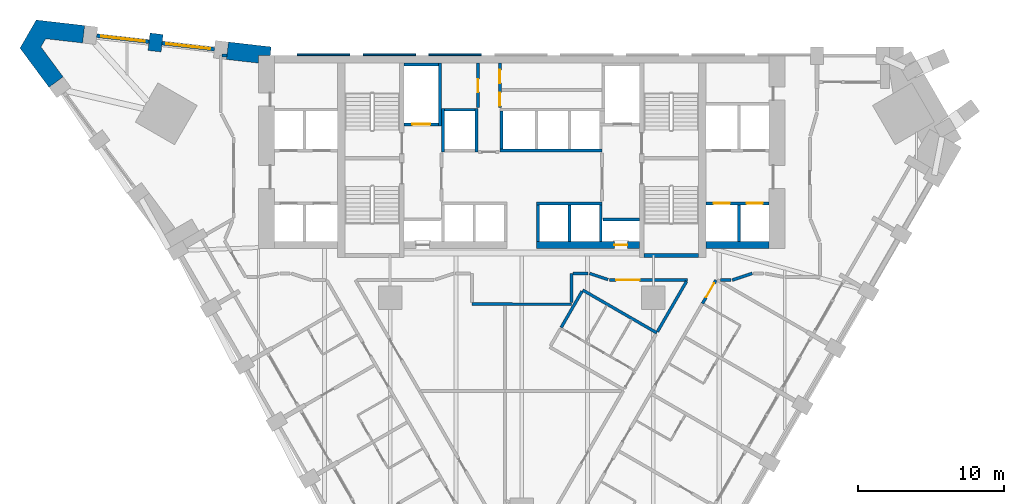
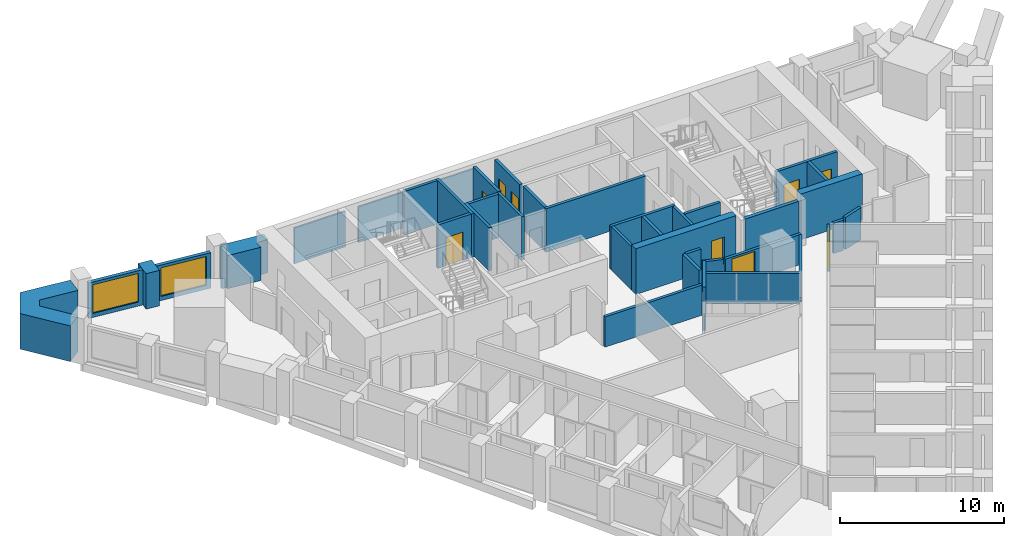
# One storey, part 8 of 12: 40 walls, 9 doors, 2 windows, 11 openings.
"""IFC4 building model written with IfcOpenShell, lengths in metres."""

from ifc_helpers import new_model, si_unit, direction, frame, frame_2d, origin, place, context, subcontext, project, spatial, polyline, rectangle, outline, extrude, material, layer, layer_set, type_object, element, fill, save


model = new_model("IFC4")

# Units and contexts
model_context = context("Model", 3, precision=1e-05, world=origin(), true_north=direction((0.0, 1.0)))
body_context = subcontext(model_context, "Body", "Model", "MODEL_VIEW")
ifc_project = project(units=[si_unit("LENGTHUNIT", "METRE"), si_unit("AREAUNIT", "SQUARE_METRE"), si_unit("VOLUMEUNIT", "CUBIC_METRE"), si_unit("PLANEANGLEUNIT", "RADIAN"), si_unit("MASSUNIT", "GRAM", prefix="KILO")], contexts=[model_context])

# Site, building, storey
site_placement = place(None, origin())
site = spatial("IfcSite", under=ifc_project, at=site_placement, CompositionType="ELEMENT")
building_placement = place(site_placement, origin())
building = spatial("IfcBuilding", under=site, at=building_placement, Name="Calabash Gate Tower", CompositionType="ELEMENT")
storey_placement = place(building_placement, frame((0.0, 0.0, 80.0)))
storey = spatial("IfcBuildingStorey", under=building, at=storey_placement, Name="L16", CompositionType="ELEMENT", Elevation=80.0)

# Walls
ifc_material_1 = material(Name="Terracotta brick masonry, exposed face", Category="masonry")
ifc_layer_1 = layer(ifc_material_1, 1.199951171875)
ifc_layer_set_1 = layer_set([ifc_layer_1], Name="Brick end wall 1200")
wall_type_1 = type_object("IfcWallType", Name="Brick end wall 1200", PredefinedType="SOLIDWALL", material=ifc_layer_set_1)
wall_1_placement = place(storey_placement, frame((-25.1162109375, 19.35400390625, 0.0), z_axis=(0.0, 0.0, 1.0), x_axis=(0.113735952551, 0.993511013073, 0.0)))
element("IfcWall", 1, at=wall_1_placement, inside=storey, type_object=wall_type_1, Name="Brick pier S04 wedge5.1", PredefinedType="SOLIDWALL", context=body_context, shape_type="SweptSolid", body=[
    extrude(rectangle(XDim=1.199951171875, YDim=0.89990234375, at=frame_2d((0.60009765625, 0.0))), origin(), (0.0, 0.0, 1.0), 2.6298828125),
])
wall_2_placement = place(storey_placement, origin())
element("IfcWall", 2, at=wall_2_placement, inside=storey, type_object=wall_type_1, Name="Brick end wall S04 1", PredefinedType="SOLIDWALL", context=body_context, shape_type="SweptSolid", body=[
    extrude(outline(polyline([(-20.061767578125, 19.98291015625), (-20.1982421875, 18.790771484375), (-18.0, 18.5390625), (-18.0, 19.052490234375), (-17.2099609375, 19.052490234375), (-17.141845703125, 19.648681640625), (-20.061767578125, 19.983154296875), (-20.061767578125, 19.98291015625), (-20.061767578125, 19.98291015625)])), origin(), (0.0, 0.0, 1.0), 2.4736328125),
])
wall_3_placement = place(storey_placement, origin())
element("IfcWall", 3, at=wall_3_placement, inside=storey, type_object=wall_type_1, Name="Brick end wall S04 2", PredefinedType="SOLIDWALL", context=body_context, shape_type="SweptSolid", body=[
    extrude(outline(polyline([(-29.897705078125, 21.109375), (-33.208740234375, 21.48876953125), (-34.319091796875, 19.5654296875), (-32.335205078125, 16.887451171875), (-31.370849609375, 17.601806640625), (-32.88623046875, 19.647216796875), (-32.56298828125, 20.206787109375), (-30.034423828125, 19.917236328125), (-29.897705078125, 21.109375)])), origin(), (0.0, 0.0, 1.0), 2.64990234375),
])
ifc_material_2 = material(Name="Concrete C80/95", Category="concrete")
ifc_layer_2 = layer(ifc_material_2, 0.25)
ifc_layer_set_2 = layer_set([ifc_layer_2], Name="Core wall 250 Concrete C80/95")
wall_type_2 = type_object("IfcWallType", Name="Core wall 250 Concrete C80/95", PredefinedType="SHEAR", material=ifc_layer_set_2)
wall_4_placement = place(storey_placement, frame((8.35009765625, 5.377685546875, 0.0), z_axis=(0.0, 0.0, 1.0), x_axis=(1.0, 0.0, 0.0)))
element("IfcWall", 4, at=wall_4_placement, inside=storey, type_object=wall_type_2, Name="Core wall Z1-SSE L16", PredefinedType="SHEAR", context=body_context, shape_type="SweptSolid", body=[
    extrude(rectangle(XDim=3.75, YDim=0.25, at=frame_2d((1.875, 0.0))), origin(), (0.0, 0.0, 1.0), 3.39990234375),
])

# Wall, opening, door
ifc_material_3 = material(Name="Concrete C80/95", Category="concrete")
ifc_layer_3 = layer(ifc_material_3, 0.5)
ifc_layer_set_3 = layer_set([ifc_layer_3], Name="Core wall 500 Concrete C80/95")
wall_type_3 = type_object("IfcWallType", Name="Core wall 500 Concrete C80/95", PredefinedType="SHEAR", material=ifc_layer_set_3)
wall_5_placement = place(storey_placement, frame((1.0, 6.1025390625, 0.0), z_axis=(0.0, 0.0, 1.0), x_axis=(1.0, 0.0, 0.0)))
wall_5 = element("IfcWall", 5, at=wall_5_placement, inside=storey, type_object=wall_type_3, Name="Core wall Z1-SB L16", PredefinedType="SHEAR", context=body_context, shape_type="SweptSolid", body=[
    extrude(rectangle(XDim=7.050048828125, YDim=0.5, at=frame_2d((3.52490234375, 0.0))), origin(), (0.0, 0.0, 1.0), 3.39990234375),
])
opening_1_placement = place(wall_5_placement, frame((5.324951171875, 0.0, 0.0)))
opening_1 = element("IfcOpeningElement", 6, at=opening_1_placement, cuts=wall_5, Name="Opening H4-011", PredefinedType="OPENING", context=body_context, shape_type="SweptSolid", body=[
    extrude(rectangle(XDim=0.89990234375, YDim=2.10009765625, at=frame_2d((0.449951171875, 1.050048828125))), frame((0.0, 0.260009765625, 0.0), z_axis=(0.0, -1.0, 0.0), x_axis=(1.0, 0.0, 0.0)), (0.0, 0.0, 1.0), 0.52001953125),
])
ifc_material_4 = material(Name="Steel fire door set with fire-resisting glazing", Category="steel")
door_type_1 = type_object("IfcDoorType", Name="Fire door D07 900x2100 FD90", OperationType="NOTDEFINED", PredefinedType="DOOR", material=ifc_material_4)
door_1_placement = place(opening_1_placement, origin())
door_1 = element("IfcDoor", 7, at=door_1_placement, inside=storey, type_object=door_type_1, Name="Mechanical Riser E door", OperationType="SINGLE_SWING_RIGHT", OverallHeight=2.10009765625, OverallWidth=0.89990234375, PredefinedType="DOOR", context=body_context, shape_type="SweptSolid", body=[
    extrude(rectangle(XDim=0.89990234375, YDim=2.10009765625, at=frame_2d((0.449951171875, 1.050048828125))), frame((0.0, 0.02490234375, 0.0), z_axis=(0.0, -1.0, 0.0), x_axis=(1.0, 0.0, 0.0)), (0.0, 0.0, 1.0), 0.050048828125),
])
fill(opening_1, door_1)

# Walls
wall_6_placement = place(storey_placement, frame((12.60009765625, 6.1025390625, 0.0), z_axis=(0.0, 0.0, 1.0), x_axis=(1.0, 0.0, 0.0)))
element("IfcWall", 8, at=wall_6_placement, inside=storey, type_object=wall_type_3, Name="Core wall Z1-SE L16", PredefinedType="SHEAR", context=body_context, shape_type="SweptSolid", body=[
    extrude(rectangle(XDim=4.2998046875, YDim=0.5, at=frame_2d((2.14990234375, 0.0))), origin(), (0.0, 0.0, 1.0), 3.39990234375),
])
ifc_material_5 = material(Name="Gypsum board on steel studs, mineral wool", Category="steel")
ifc_layer_4 = layer(ifc_material_5, 0.199951171875)
ifc_layer_set_4 = layer_set([ifc_layer_4], Name="Partition 200 gypsum board EI 60")
wall_type_4 = type_object("IfcWallType", Name="Partition 200 gypsum board EI 60", PredefinedType="PARTITIONING", material=ifc_layer_set_4)
wall_7_placement = place(storey_placement, frame((4.169189453125, 3.016357421875, 0.0), z_axis=(0.0, 0.0, 1.0), x_axis=(0.866018092707, -0.500012662943, 0.0)))
element("IfcWall", 9, at=wall_7_placement, inside=storey, type_object=wall_type_4, Name="Partition", PredefinedType="PARTITIONING", context=body_context, shape_type="SweptSolid", body=[
    extrude(rectangle(XDim=5.849853515625, YDim=0.199951171875, at=frame_2d((2.9248046875, 0.0))), origin(), (0.0, 0.0, 1.0), 2.24169921875),
])
wall_8_placement = place(storey_placement, frame((-3.400146484375, 2.052490234375, 0.0), z_axis=(0.0, 0.0, 1.0), x_axis=(0.999999659082, -0.000825733904, 0.0)))
element("IfcWall", 10, at=wall_8_placement, inside=storey, type_object=wall_type_4, Name="Partition", PredefinedType="PARTITIONING", context=body_context, shape_type="SweptSolid", body=[
    extrude(rectangle(XDim=6.80029296875, YDim=0.199951171875, at=frame_2d((3.400146484375, 0.0))), origin(), (0.0, 0.0, 1.0), 2.24169921875),
])
wall_9_placement = place(storey_placement, frame((3.400146484375, 2.15234375, 0.0), z_axis=(0.0, 0.0, 1.0), x_axis=(0.000977397212, 0.999999522347, 0.0)))
element("IfcWall", 11, at=wall_9_placement, inside=storey, type_object=wall_type_4, Name="Partition", PredefinedType="PARTITIONING", context=body_context, shape_type="SweptSolid", body=[
    extrude(rectangle(XDim=1.998291015625, YDim=0.199951171875, at=frame_2d((0.9990234375, 0.0))), origin(), (0.0, 0.0, 1.0), 3.22998046875),
])
wall_10_placement = place(storey_placement, frame((2.69580078125, 0.460693359375, 0.0), z_axis=(0.0, 0.0, 1.0), x_axis=(0.499502432077, 0.866312484239, 0.0)))
element("IfcWall", 12, at=wall_10_placement, inside=storey, type_object=wall_type_4, Name="Partition", PredefinedType="PARTITIONING", context=body_context, shape_type="SweptSolid", body=[
    extrude(rectangle(XDim=2.85009765625, YDim=0.199951171875, at=frame_2d((1.425048828125, 0.0))), origin(), (0.0, 0.0, 1.0), 3.22998046875),
])
wall_11_placement = place(storey_placement, frame((9.283935546875, 0.17919921875, 0.0), z_axis=(0.0, 0.0, 1.0), x_axis=(0.500368865734, 0.865812334287, 0.0)))
element("IfcWall", 13, at=wall_11_placement, inside=storey, type_object=wall_type_4, Name="Partition", PredefinedType="PARTITIONING", context=body_context, shape_type="SweptSolid", body=[
    extrude(rectangle(XDim=3.96630859375, YDim=0.199951171875, at=frame_2d((1.983154296875, 0.0))), origin(), (0.0, 0.0, 1.0), 2.24169921875),
])

# Wall, opening, door
wall_12_placement = place(storey_placement, frame((6.0, 3.69970703125, 0.0), z_axis=(0.0, 0.0, 1.0), x_axis=(1.0, 0.0, 0.0)))
wall_12 = element("IfcWall", 14, at=wall_12_placement, inside=storey, type_object=wall_type_4, Name="Partition", PredefinedType="PARTITIONING", context=body_context, shape_type="SweptSolid", body=[
    extrude(rectangle(XDim=5.318603515625, YDim=0.199951171875, at=frame_2d((2.6591796875, 0.0))), origin(), (0.0, 0.0, 1.0), 2.24169921875),
])
opening_2_placement = place(wall_12_placement, frame((0.458740234375, 0.0, 0.0)))
opening_2 = element("IfcOpeningElement", 15, at=opening_2_placement, cuts=wall_12, Name="Opening 15-17-036", PredefinedType="OPENING", context=body_context, shape_type="SweptSolid", body=[
    extrude(rectangle(XDim=1.60009765625, YDim=2.10009765625, at=frame_2d((0.800048828125, 1.050048828125))), frame((0.0, 0.10986328125, 0.0), z_axis=(0.0, -1.0, 0.0), x_axis=(1.0, 0.0, 0.0)), (0.0, 0.0, 1.0), 0.219970703125),
])
ifc_material_6 = material(Name="Steel fire door set with fire-resisting glazing", Category="steel")
door_type_2 = type_object("IfcDoorType", Name="LD1 Lounge double door 1600x2100", OperationType="NOTDEFINED", PredefinedType="DOOR", material=ifc_material_6)
door_2_placement = place(opening_2_placement, origin())
door_2 = element("IfcDoor", 16, at=door_2_placement, inside=storey, type_object=door_type_2, Name="Lounge double door", OperationType="DOUBLE_DOOR_SINGLE_SWING", OverallHeight=2.10009765625, OverallWidth=1.60009765625, PredefinedType="DOOR", context=body_context, shape_type="SweptSolid", body=[
    extrude(rectangle(XDim=1.60009765625, YDim=2.10009765625, at=frame_2d((0.800048828125, 1.050048828125))), frame((0.0, 0.02490234375, 0.0), z_axis=(0.0, -1.0, 0.0), x_axis=(1.0, 0.0, 0.0)), (0.0, 0.0, 1.0), 0.050048828125),
])
fill(opening_2, door_2)

wall_13_placement = place(storey_placement, frame((12.358642578125, 2.0966796875, 0.0), z_axis=(0.0, 0.0, 1.0), x_axis=(0.499120619587, 0.866532519357, 0.0)))
wall_13 = element("IfcWall", 17, at=wall_13_placement, inside=storey, type_object=wall_type_4, Name="Partition", PredefinedType="PARTITIONING", context=body_context, shape_type="SweptSolid", body=[
    extrude(rectangle(XDim=1.849853515625, YDim=0.199951171875, at=frame_2d((0.9248046875, 0.0))), origin(), (0.0, 0.0, 1.0), 2.24169921875),
])
opening_3_placement = place(wall_13_placement, frame((0.499755859375, 0.0, 0.0)))
opening_3 = element("IfcOpeningElement", 18, at=opening_3_placement, cuts=wall_13, Name="Opening 15-17-025", PredefinedType="OPENING", context=body_context, shape_type="SweptSolid", body=[
    extrude(rectangle(XDim=1.10009765625, YDim=2.10009765625, at=frame_2d((0.550048828125, 1.050048828125))), frame((0.0, 0.10986328125, 0.0), z_axis=(0.0, -1.0, 0.0), x_axis=(1.0, 0.0, 0.0)), (0.0, 0.0, 1.0), 0.219970703125),
])
ifc_material_7 = material(Name="Steel fire door set with fire-resisting glazing", Category="steel")
door_type_3 = type_object("IfcDoorType", Name="GD2 Accessible guest room entrance door 1100x2100", OperationType="NOTDEFINED", PredefinedType="DOOR", material=ifc_material_7)
door_3_placement = place(opening_3_placement, origin())
door_3 = element("IfcDoor", 19, at=door_3_placement, inside=storey, type_object=door_type_3, Name="Accessible guest room entrance door", OperationType="SINGLE_SWING_LEFT", OverallHeight=2.10009765625, OverallWidth=1.10009765625, PredefinedType="DOOR", context=body_context, shape_type="SweptSolid", body=[
    extrude(rectangle(XDim=1.10009765625, YDim=2.10009765625, at=frame_2d((0.550048828125, 1.050048828125))), frame((0.0, 0.02490234375, 0.0), z_axis=(0.0, -1.0, 0.0), x_axis=(1.0, 0.0, 0.0)), (0.0, 0.0, 1.0), 0.050048828125),
])
fill(opening_3, door_3)

# Walls
wall_14_placement = place(storey_placement, frame((13.583251953125, 3.699462890625, 0.0), z_axis=(0.0, 0.0, 1.0), x_axis=(1.0, 0.0, 0.0)))
element("IfcWall", 20, at=wall_14_placement, inside=storey, type_object=wall_type_4, Name="Partition", PredefinedType="PARTITIONING", context=body_context, shape_type="SweptSolid", body=[
    extrude(rectangle(XDim=0.716796875, YDim=0.199951171875, at=frame_2d((0.3583984375, 0.0))), origin(), (0.0, 0.0, 1.0), 2.24169921875),
])
wall_15_placement = place(storey_placement, frame((14.400146484375, 3.699462890625, 0.0), z_axis=(0.0, 0.0, 1.0), x_axis=(0.948666237396, 0.316278943379, 0.0)))
element("IfcWall", 21, at=wall_15_placement, inside=storey, type_object=wall_type_4, Name="Partition", PredefinedType="PARTITIONING", context=body_context, shape_type="SweptSolid", body=[
    extrude(rectangle(XDim=1.43115234375, YDim=0.199951171875, at=frame_2d((0.715576171875, 0.0))), origin(), (0.0, 0.0, 1.0), 2.384033203125),
])
wall_16_placement = place(storey_placement, frame((3.501953125, 4.150634765625, 0.0), z_axis=(0.0, 0.0, 1.0), x_axis=(0.9999990086, 0.001408118764, 0.0)))
element("IfcWall", 22, at=wall_16_placement, inside=storey, type_object=wall_type_4, Name="Partition", PredefinedType="PARTITIONING", context=body_context, shape_type="SweptSolid", body=[
    extrude(rectangle(XDim=1.040283203125, YDim=0.199951171875, at=frame_2d((0.52001953125, 0.0))), origin(), (0.0, 0.0, 1.0), 3.22998046875),
])
wall_17_placement = place(storey_placement, frame((4.642333984375, 4.15234375, 0.0), z_axis=(0.0, 0.0, 1.0), x_axis=(0.948683298051, -0.316227766017, 0.0)))
element("IfcWall", 23, at=wall_17_placement, inside=storey, type_object=wall_type_4, Name="Partition", PredefinedType="PARTITIONING", context=body_context, shape_type="SweptSolid", body=[
    extrude(rectangle(XDim=1.3310546875, YDim=0.199951171875, at=frame_2d((0.66552734375, 0.0))), origin(), (0.0, 0.0, 1.0), 2.24169921875),
])
wall_18_placement = place(storey_placement, frame((-20.489013671875, 19.052490234375, 0.0), z_axis=(0.0, 0.0, 1.0), x_axis=(0.999999710413, 0.000761034787, 0.0)))
element("IfcWall", 24, at=wall_18_placement, inside=storey, type_object=wall_type_4, Name="Partition", PredefinedType="PARTITIONING", context=body_context, shape_type="SweptSolid", body=[
    extrude(rectangle(XDim=0.32080078125, YDim=0.199951171875, at=frame_2d((0.160400390625, 0.0))), origin(), (0.0, 0.0, 1.0), 3.22998046875),
])

# Wall, opening, window
ifc_material_8 = material(Name="Aluminium framed window wall with insulated spandrel", Category="aluminium")
ifc_layer_5 = layer(ifc_material_8, 0.25)
ifc_layer_set_5 = layer_set([ifc_layer_5], Name="Prow window wall 250")
wall_type_5 = type_object("IfcWallType", Name="Prow window wall 250", PredefinedType="ELEMENTEDWALL", material=ifc_layer_set_5)
wall_19_placement = place(storey_placement, frame((-21.024169921875, 19.4892578125, 0.0), z_axis=(0.0, 0.0, 1.0), x_axis=(-0.993504225498, 0.113795228013, 0.0)))
wall_19 = element("IfcWall", 25, at=wall_19_placement, inside=storey, type_object=wall_type_5, Name="Prow window wall S04 wedge5.1", PredefinedType="ELEMENTEDWALL", context=body_context, shape_type="SweptSolid", body=[
    extrude(rectangle(XDim=3.60009765625, YDim=0.25, at=frame_2d((1.800048828125, 0.0))), origin(), (0.0, 0.0, 1.0), 2.6298828125),
])
opening_4_placement = place(wall_19_placement, frame((0.300048828125, 0.0, 0.300048828125)))
opening_4 = element("IfcOpeningElement", 26, at=opening_4_placement, cuts=wall_19, Name="Opening WP1L-2130", PredefinedType="OPENING", context=body_context, shape_type="SweptSolid", body=[
    extrude(rectangle(XDim=3.0, YDim=2.1298828125, at=frame_2d((1.5, 1.06494140625))), frame((0.0, 0.135009765625, 0.0), z_axis=(0.0, -1.0, 0.0), x_axis=(1.0, 0.0, 0.0)), (0.0, 0.0, 1.0), 0.27001953125),
])
ifc_material_9 = material(Name="Anodised aluminium frame, bronze finish, impact-rated laminated clear glazing", Category="aluminium")
window_type = type_object("IfcWindowType", Name="Window WP1L 3000x2130", PartitioningType="DOUBLE_PANEL_VERTICAL", PredefinedType="WINDOW", material=ifc_material_9)
window_1_placement = place(opening_4_placement, origin())
window_1 = element("IfcWindow", 27, at=window_1_placement, inside=storey, type_object=window_type, Name="Prow window WP1L S04 wedge5.1", OverallHeight=2.1298828125, OverallWidth=3.0, PartitioningType="SINGLE_PANEL", PredefinedType="WINDOW", context=body_context, shape_type="SweptSolid", body=[
    extrude(rectangle(XDim=3.0, YDim=2.1298828125, at=frame_2d((1.5, 1.06494140625))), frame((0.0, 0.030029296875, 0.0), z_axis=(0.0, -1.0, 0.0), x_axis=(1.0, 0.0, 0.0)), (0.0, 0.0, 1.0), 0.06005859375),
])
fill(opening_4, window_1)

wall_20_placement = place(storey_placement, frame((-25.4951171875, 20.00146484375, 0.0), z_axis=(0.0, 0.0, 1.0), x_axis=(-0.993511890309, 0.113728289423, 0.0)))
wall_20 = element("IfcWall", 28, at=wall_20_placement, inside=storey, type_object=wall_type_5, Name="Prow window wall S04 wedge5.2", PredefinedType="ELEMENTEDWALL", context=body_context, shape_type="SweptSolid", body=[
    extrude(rectangle(XDim=3.60009765625, YDim=0.25, at=frame_2d((1.800048828125, 0.0))), origin(), (0.0, 0.0, 1.0), 2.6298828125),
])
opening_5_placement = place(wall_20_placement, frame((0.300048828125, 0.0, 0.300048828125)))
opening_5 = element("IfcOpeningElement", 29, at=opening_5_placement, cuts=wall_20, Name="Opening WP1L-2130", PredefinedType="OPENING", context=body_context, shape_type="SweptSolid", body=[
    extrude(rectangle(XDim=3.0, YDim=2.1298828125, at=frame_2d((1.5, 1.06494140625))), frame((0.0, 0.135009765625, 0.0), z_axis=(0.0, -1.0, 0.0), x_axis=(1.0, 0.0, 0.0)), (0.0, 0.0, 1.0), 0.27001953125),
])
window_2_placement = place(opening_5_placement, origin())
window_2 = element("IfcWindow", 30, at=window_2_placement, inside=storey, type_object=window_type, Name="Prow window WP1L S04 wedge5.2", OverallHeight=2.1298828125, OverallWidth=3.0, PartitioningType="SINGLE_PANEL", PredefinedType="WINDOW", context=body_context, shape_type="SweptSolid", body=[
    extrude(rectangle(XDim=3.0, YDim=2.1298828125, at=frame_2d((1.5, 1.06494140625))), frame((0.0, 0.030029296875, 0.0), z_axis=(0.0, -1.0, 0.0), x_axis=(1.0, 0.0, 0.0)), (0.0, 0.0, 1.0), 0.06005859375),
])
fill(opening_5, window_2)

# Walls
ifc_material_10 = material(Name="Concrete C40/50", Category="concrete")
ifc_layer_6 = layer(ifc_material_10, 0.199951171875)
ifc_layer_set_6 = layer_set([ifc_layer_6], Name="Shaft wall 200 Concrete C40/50")
wall_type_6 = type_object("IfcWallType", Name="Shaft wall 200 Concrete C40/50", PredefinedType="SOLIDWALL", material=ifc_layer_set_6)
for number, where, z_axis, x_axis, name in (
    (31, (1.10009765625, 6.3525390625, 0.0), (0.0, 0.0, 1.0), (0.0, 1.0, 0.0), "Shaft wall"),
    (32, (3.25, 6.3525390625, 0.0), (0.0, 0.0, 1.0), (0.0, 1.0, 0.0), "Shaft wall"),
    (33, (5.39990234375, 6.3525390625, 0.0), (0.0, 0.0, 1.0), (0.0, 1.0, 0.0), "Shaft wall"),
    (34, (14.85009765625, 6.3525390625, 0.0), (0.0, 0.0, 1.0), (0.0, 1.0, 0.0), "Shaft wall"),
    (35, (5.550048828125, 7.8525390625, 0.0), (0.0, 0.0, 1.0), (1.0, 0.0, 0.0), "Shaft wall"),
):
    element("IfcWall", number, at=place(storey_placement, frame(where, z_axis=z_axis, x_axis=x_axis)), inside=storey, type_object=wall_type_6, Name=name, PredefinedType="SOLIDWALL", context=body_context, shape_type="SweptSolid", body=[
        extrude(rectangle(XDim=2.5, YDim=0.199951171875, at=frame_2d((1.25, 0.0))), origin(), (0.0, 0.0, 1.0), 3.22998046875),
    ])
wall_21_placement = place(storey_placement, frame((1.0, 8.95263671875, 0.0), z_axis=(0.0, 0.0, 1.0), x_axis=(1.0, 0.0, 0.0)))
element("IfcWall", 36, at=wall_21_placement, inside=storey, type_object=wall_type_6, Name="Shaft wall", PredefinedType="SOLIDWALL", context=body_context, shape_type="SweptSolid", body=[
    extrude(rectangle(XDim=4.5, YDim=0.199951171875, at=frame_2d((2.25, 0.0))), origin(), (0.0, 0.0, 1.0), 3.22998046875),
])

# Wall, openings, doors
wall_22_placement = place(storey_placement, frame((12.60009765625, 8.95263671875, 0.0), z_axis=(0.0, 0.0, 1.0), x_axis=(1.0, 0.0, 0.0)))
wall_22 = element("IfcWall", 37, at=wall_22_placement, inside=storey, type_object=wall_type_6, Name="Shaft wall", PredefinedType="SOLIDWALL", context=body_context, shape_type="SweptSolid", body=[
    extrude(rectangle(XDim=4.2998046875, YDim=0.199951171875, at=frame_2d((2.14990234375, 0.0))), origin(), (0.0, 0.0, 1.0), 3.22998046875),
])
opening_6_placement = place(wall_22_placement, frame((0.52490234375, 0.0, 0.0)))
opening_6 = element("IfcOpeningElement", 38, at=opening_6_placement, cuts=wall_22, Name="Opening LD-LR5", PredefinedType="OPENING", context=body_context, shape_type="SweptSolid", body=[
    extrude(rectangle(XDim=1.10009765625, YDim=2.10009765625, at=frame_2d((0.550048828125, 1.050048828125))), frame((0.0, 0.10986328125, 0.0), z_axis=(0.0, -1.0, 0.0), x_axis=(1.0, 0.0, 0.0)), (0.0, 0.0, 1.0), 0.219970703125),
])
opening_7_placement = place(wall_22_placement, frame((2.77490234375, 0.0, 0.0)))
opening_7 = element("IfcOpeningElement", 39, at=opening_7_placement, cuts=wall_22, Name="Opening LD-LR6", PredefinedType="OPENING", context=body_context, shape_type="SweptSolid", body=[
    extrude(rectangle(XDim=1.10009765625, YDim=2.10009765625, at=frame_2d((0.550048828125, 1.050048828125))), frame((0.0, 0.10986328125, 0.0), z_axis=(0.0, -1.0, 0.0), x_axis=(1.0, 0.0, 0.0)), (0.0, 0.0, 1.0), 0.219970703125),
])
ifc_material_11 = material(Name="Stainless steel sliding door leaves", Category="steel")
door_type_4 = type_object("IfcDoorType", Name="Lift landing door LS1 1100x2100 FD90", OperationType="DOUBLE_DOOR_SLIDING", PredefinedType="DOOR", material=ifc_material_11)
door_4_placement = place(opening_6_placement, origin())
door_4 = element("IfcDoor", 40, at=door_4_placement, inside=storey, type_object=door_type_4, Name="Lift landing door LR5", OperationType="DOUBLE_DOOR_SLIDING", OverallHeight=2.10009765625, OverallWidth=1.10009765625, PredefinedType="DOOR", context=body_context, shape_type="SweptSolid", body=[
    extrude(rectangle(XDim=1.10009765625, YDim=2.10009765625, at=frame_2d((0.550048828125, 1.050048828125))), frame((0.0, 0.02490234375, 0.0), z_axis=(0.0, -1.0, 0.0), x_axis=(1.0, 0.0, 0.0)), (0.0, 0.0, 1.0), 0.050048828125),
])
fill(opening_6, door_4)
door_5_placement = place(opening_7_placement, origin())
door_5 = element("IfcDoor", 41, at=door_5_placement, inside=storey, type_object=door_type_4, Name="Lift landing door LR6", OperationType="DOUBLE_DOOR_SLIDING", OverallHeight=2.10009765625, OverallWidth=1.10009765625, PredefinedType="DOOR", context=body_context, shape_type="SweptSolid", body=[
    extrude(rectangle(XDim=1.10009765625, YDim=2.10009765625, at=frame_2d((0.550048828125, 1.050048828125))), frame((0.0, 0.02490234375, 0.0), z_axis=(0.0, -1.0, 0.0), x_axis=(1.0, 0.0, 0.0)), (0.0, 0.0, 1.0), 0.050048828125),
])
fill(opening_7, door_5)

# Walls
for number, where, z_axis, x_axis, name in (
    (42, (-5.39990234375, 12.45263671875, 0.0), (0.0, 0.0, 1.0), (0.0, 1.0, 0.0), "Shaft wall"),
    (43, (-3.10009765625, 12.45263671875, 0.0), (0.0, 0.0, 1.0), (0.0, 1.0, 0.0), "Shaft wall"),
):
    element("IfcWall", number, at=place(storey_placement, frame(where, z_axis=z_axis, x_axis=x_axis)), inside=storey, type_object=wall_type_6, Name=name, PredefinedType="SOLIDWALL", context=body_context, shape_type="SweptSolid", body=[
        extrude(rectangle(XDim=3.0, YDim=0.199951171875, at=frame_2d((1.5, 0.0))), origin(), (0.0, 0.0, 1.0), 3.22998046875),
    ])
wall_23_placement = place(storey_placement, frame((-1.5, 12.552490234375, 0.0), z_axis=(0.0, 0.0, 1.0), x_axis=(1.0, 0.0, 0.0)))
element("IfcWall", 44, at=wall_23_placement, inside=storey, type_object=wall_type_6, Name="Shaft wall", PredefinedType="SOLIDWALL", context=body_context, shape_type="SweptSolid", body=[
    extrude(rectangle(XDim=7.0, YDim=0.199951171875, at=frame_2d((3.5, 0.0))), origin(), (0.0, 0.0, 1.0), 3.22998046875),
])
wall_24_placement = place(storey_placement, frame((-1.39990234375, 12.652587890625, 0.0), z_axis=(0.0, 0.0, 1.0), x_axis=(0.0, 1.0, 0.0)))
element("IfcWall", 45, at=wall_24_placement, inside=storey, type_object=wall_type_6, Name="Shaft wall", PredefinedType="SOLIDWALL", context=body_context, shape_type="SweptSolid", body=[
    extrude(rectangle(XDim=2.60009765625, YDim=0.199951171875, at=frame_2d((1.300048828125, 0.0))), origin(), (0.0, 0.0, 1.0), 3.22998046875),
])

# Wall, opening, door
wall_25_placement = place(storey_placement, frame((-8.050048828125, 14.3525390625, 0.0), z_axis=(0.0, 0.0, 1.0), x_axis=(1.0, 0.0, 0.0)))
wall_25 = element("IfcWall", 46, at=wall_25_placement, inside=storey, type_object=wall_type_6, Name="Shaft wall", PredefinedType="SOLIDWALL", context=body_context, shape_type="SweptSolid", body=[
    extrude(rectangle(XDim=2.35009765625, YDim=0.199951171875, at=frame_2d((1.175048828125, 0.0))), origin(), (0.0, 0.0, 1.0), 3.22998046875),
])
opening_8_placement = place(wall_25_placement, frame((0.574951171875, 0.0, 0.0)))
opening_8 = element("IfcOpeningElement", 47, at=opening_8_placement, cuts=wall_25, Name="Opening LD-FF1", PredefinedType="OPENING", context=body_context, shape_type="SweptSolid", body=[
    extrude(rectangle(XDim=1.199951171875, YDim=2.10009765625, at=frame_2d((0.60009765625, 1.050048828125))), frame((0.0, 0.10986328125, 0.0), z_axis=(0.0, -1.0, 0.0), x_axis=(1.0, 0.0, 0.0)), (0.0, 0.0, 1.0), 0.219970703125),
])
ifc_material_12 = material(Name="Stainless steel sliding door leaves", Category="steel")
door_type_5 = type_object("IfcDoorType", Name="Lift landing door LS3 1200x2100 FD90", OperationType="DOUBLE_DOOR_SLIDING", PredefinedType="DOOR", material=ifc_material_12)
door_6_placement = place(opening_8_placement, origin())
door_6 = element("IfcDoor", 48, at=door_6_placement, inside=storey, type_object=door_type_5, Name="Lift landing door FF1", OperationType="DOUBLE_DOOR_SLIDING", OverallHeight=2.10009765625, OverallWidth=1.199951171875, PredefinedType="DOOR", context=body_context, shape_type="SweptSolid", body=[
    extrude(rectangle(XDim=1.199951171875, YDim=2.10009765625, at=frame_2d((0.60009765625, 1.050048828125))), frame((0.0, 0.02490234375, 0.0), z_axis=(0.0, -1.0, 0.0), x_axis=(1.0, 0.0, 0.0)), (0.0, 0.0, 1.0), 0.050048828125),
])
fill(opening_8, door_6)

# Walls
wall_26_placement = place(storey_placement, frame((-5.60009765625, 14.252685546875, 0.0), z_axis=(0.0, 0.0, 1.0), x_axis=(0.0, 1.0, 0.0)))
element("IfcWall", 49, at=wall_26_placement, inside=storey, type_object=wall_type_6, Name="Shaft wall", PredefinedType="SOLIDWALL", context=body_context, shape_type="SweptSolid", body=[
    extrude(rectangle(XDim=4.2998046875, YDim=0.199951171875, at=frame_2d((2.14990234375, 0.0))), origin(), (0.0, 0.0, 1.0), 3.22998046875),
])
wall_27_placement = place(storey_placement, frame((-5.300048828125, 15.3525390625, 0.0), z_axis=(0.0, 0.0, 1.0), x_axis=(1.0, 0.0, 0.0)))
element("IfcWall", 50, at=wall_27_placement, inside=storey, type_object=wall_type_6, Name="Shaft wall", PredefinedType="SOLIDWALL", context=body_context, shape_type="SweptSolid", body=[
    extrude(rectangle(XDim=2.10009765625, YDim=0.199951171875, at=frame_2d((1.050048828125, 0.0))), origin(), (0.0, 0.0, 1.0), 3.22998046875),
])

# Wall, opening, door
wall_28_placement = place(storey_placement, frame((-3.0, 15.502685546875, 0.0), z_axis=(0.0, 0.0, 1.0), x_axis=(0.0, 1.0, 0.0)))
wall_28 = element("IfcWall", 51, at=wall_28_placement, inside=storey, type_object=wall_type_6, Name="Shaft wall", PredefinedType="SOLIDWALL", context=body_context, shape_type="SweptSolid", body=[
    extrude(rectangle(XDim=3.0498046875, YDim=0.199951171875, at=frame_2d((1.52490234375, 0.0))), origin(), (0.0, 0.0, 1.0), 3.22998046875),
])
opening_9_placement = place(wall_28_placement, frame((1.050048828125, 0.0, 0.0)))
opening_9 = element("IfcOpeningElement", 52, at=opening_9_placement, cuts=wall_28, Name="Opening H4-008", PredefinedType="OPENING", context=body_context, shape_type="SweptSolid", body=[
    extrude(rectangle(XDim=0.89990234375, YDim=2.10009765625, at=frame_2d((0.449951171875, 1.050048828125))), frame((0.0, 0.10986328125, 0.0), z_axis=(0.0, -1.0, 0.0), x_axis=(1.0, 0.0, 0.0)), (0.0, 0.0, 1.0), 0.219970703125),
])
ifc_material_13 = material(Name="Steel fire door set with fire-resisting glazing", Category="steel")
door_type_6 = type_object("IfcDoorType", Name="Fire door D06 900x2100 FD60", OperationType="NOTDEFINED", PredefinedType="DOOR", material=ifc_material_13)
door_7_placement = place(opening_9_placement, origin())
door_7 = element("IfcDoor", 53, at=door_7_placement, inside=storey, type_object=door_type_6, Name="Cleaner's Store door", OperationType="SINGLE_SWING_LEFT", OverallHeight=2.10009765625, OverallWidth=0.89990234375, PredefinedType="DOOR", context=body_context, shape_type="SweptSolid", body=[
    extrude(rectangle(XDim=0.89990234375, YDim=2.10009765625, at=frame_2d((0.449951171875, 1.050048828125))), frame((0.0, 0.02490234375, 0.0), z_axis=(0.0, -1.0, 0.0), x_axis=(1.0, 0.0, 0.0)), (0.0, 0.0, 1.0), 0.050048828125),
])
fill(opening_9, door_7)

# Wall, openings, doors
wall_29_placement = place(storey_placement, frame((-1.5, 15.502685546875, 0.0), z_axis=(0.0, 0.0, 1.0), x_axis=(0.0, 1.0, 0.0)))
wall_29 = element("IfcWall", 54, at=wall_29_placement, inside=storey, type_object=wall_type_6, Name="Shaft wall", PredefinedType="SOLIDWALL", context=body_context, shape_type="SweptSolid", body=[
    extrude(rectangle(XDim=3.0498046875, YDim=0.199951171875, at=frame_2d((1.52490234375, 0.0))), origin(), (0.0, 0.0, 1.0), 3.22998046875),
])
opening_10_placement = place(wall_29_placement, frame((0.1201171875, 0.0, 0.0)))
opening_10 = element("IfcOpeningElement", 55, at=opening_10_placement, cuts=wall_29, Name="Opening H4-009", PredefinedType="OPENING", context=body_context, shape_type="SweptSolid", body=[
    extrude(rectangle(XDim=0.89990234375, YDim=2.10009765625, at=frame_2d((0.449951171875, 1.050048828125))), frame((0.0, 0.10986328125, 0.0), z_axis=(0.0, -1.0, 0.0), x_axis=(1.0, 0.0, 0.0)), (0.0, 0.0, 1.0), 0.219970703125),
])
opening_11_placement = place(wall_29_placement, frame((1.669921875, 0.0, 0.0)))
opening_11 = element("IfcOpeningElement", 56, at=opening_11_placement, cuts=wall_29, Name="Opening H4-010", PredefinedType="OPENING", context=body_context, shape_type="SweptSolid", body=[
    extrude(rectangle(XDim=0.89990234375, YDim=2.10009765625, at=frame_2d((0.449951171875, 1.050048828125))), frame((0.0, 0.10986328125, 0.0), z_axis=(0.0, -1.0, 0.0), x_axis=(1.0, 0.0, 0.0)), (0.0, 0.0, 1.0), 0.219970703125),
])
door_8_placement = place(opening_10_placement, origin())
door_8 = element("IfcDoor", 57, at=door_8_placement, inside=storey, type_object=door_type_6, Name="Hotel Pantry door", OperationType="SINGLE_SWING_LEFT", OverallHeight=2.10009765625, OverallWidth=0.89990234375, PredefinedType="DOOR", context=body_context, shape_type="SweptSolid", body=[
    extrude(rectangle(XDim=0.89990234375, YDim=2.10009765625, at=frame_2d((0.449951171875, 1.050048828125))), frame((0.0, 0.02490234375, 0.0), z_axis=(0.0, -1.0, 0.0), x_axis=(1.0, 0.0, 0.0)), (0.0, 0.0, 1.0), 0.050048828125),
])
fill(opening_10, door_8)
door_9_placement = place(opening_11_placement, origin())
door_9 = element("IfcDoor", 58, at=door_9_placement, inside=storey, type_object=door_type_6, Name="Luggage Store door", OperationType="SINGLE_SWING_LEFT", OverallHeight=2.10009765625, OverallWidth=0.89990234375, PredefinedType="DOOR", context=body_context, shape_type="SweptSolid", body=[
    extrude(rectangle(XDim=0.89990234375, YDim=2.10009765625, at=frame_2d((0.449951171875, 1.050048828125))), frame((0.0, 0.02490234375, 0.0), z_axis=(0.0, -1.0, 0.0), x_axis=(1.0, 0.0, 0.0)), (0.0, 0.0, 1.0), 0.050048828125),
])
fill(opening_11, door_9)

# Walls
wall_30_placement = place(storey_placement, frame((-8.050048828125, 18.45263671875, 0.0), z_axis=(0.0, 0.0, 1.0), x_axis=(1.0, 0.0, 0.0)))
element("IfcWall", 59, at=wall_30_placement, inside=storey, type_object=wall_type_6, Name="Shaft wall", PredefinedType="SOLIDWALL", context=body_context, shape_type="SweptSolid", body=[
    extrude(rectangle(XDim=2.35009765625, YDim=0.199951171875, at=frame_2d((1.175048828125, 0.0))), origin(), (0.0, 0.0, 1.0), 3.22998046875),
])
ifc_material_14 = material(Name="Terracotta brick masonry, perforated", Category="masonry")
ifc_layer_7 = layer(ifc_material_14, 0.1201171875)
ifc_layer_set_7 = layer_set([ifc_layer_7], Name="Terracotta jaali cladding B 120")
wall_type_7 = type_object("IfcWallType", Name="Terracotta jaali cladding B 120", PredefinedType="SOLIDWALL", material=ifc_layer_set_7)
wall_31_placement = place(storey_placement, origin())
element("IfcWall", 60, at=wall_31_placement, inside=storey, type_object=wall_type_7, Name="Jaali cladding S04 N4.7", PredefinedType="SOLIDWALL", context=body_context, shape_type="SweptSolid", body=[
    extrude(outline(polyline([(-6.358154296875, 19.172607421875), (-6.358154296875, 19.052490234375), (-2.75830078125, 19.052490234375), (-2.75830078125, 19.172607421875), (-6.358154296875, 19.172607421875)])), origin(), (0.0, 0.0, 1.0), 2.64990234375),
])
wall_32_placement = place(storey_placement, origin())
element("IfcWall", 61, at=wall_32_placement, inside=storey, type_object=wall_type_7, Name="Jaali cladding S04 N4.9", PredefinedType="SOLIDWALL", context=body_context, shape_type="SweptSolid", body=[
    extrude(outline(polyline([(-15.358154296875, 19.172607421875), (-15.358154296875, 19.052490234375), (-11.75830078125, 19.052490234375), (-11.75830078125, 19.172607421875), (-15.358154296875, 19.172607421875)])), origin(), (0.0, 0.0, 1.0), 2.64990234375),
])
ifc_material_15 = material(Name="Terracotta louvre blades in an aluminium frame", Category="masonry")
ifc_layer_8 = layer(ifc_material_15, 0.1201171875)
ifc_layer_set_8 = layer_set([ifc_layer_8], Name="Terracotta vent louvre cladding 120")
wall_type_8 = type_object("IfcWallType", Name="Terracotta vent louvre cladding 120", PredefinedType="ELEMENTEDWALL", material=ifc_layer_set_8)
wall_33_placement = place(storey_placement, origin())
element("IfcWall", 62, at=wall_33_placement, inside=storey, type_object=wall_type_8, Name="Vent louvre cladding S04 N4.8", PredefinedType="ELEMENTEDWALL", context=body_context, shape_type="SweptSolid", body=[
    extrude(outline(polyline([(-10.858154296875, 19.172607421875), (-10.858154296875, 19.052490234375), (-7.25830078125, 19.052490234375), (-7.25830078125, 19.172607421875), (-10.858154296875, 19.172607421875)])), origin(), (0.0, 0.0, 1.0), 2.64990234375),
])

save(model, "model.ifc")
